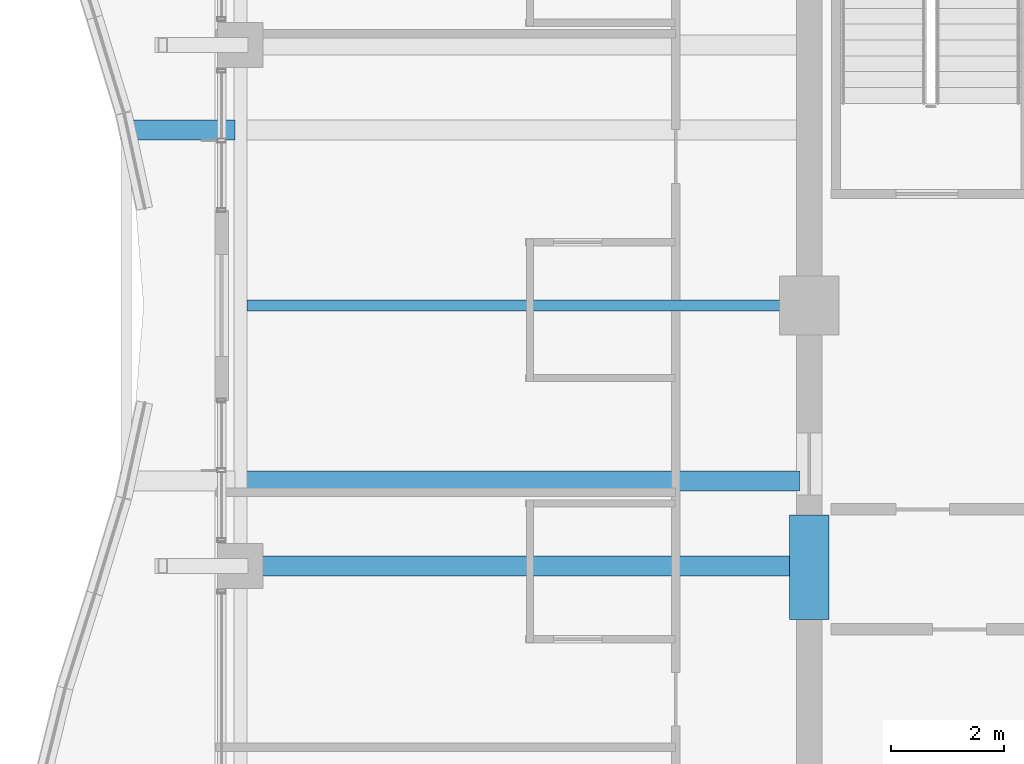
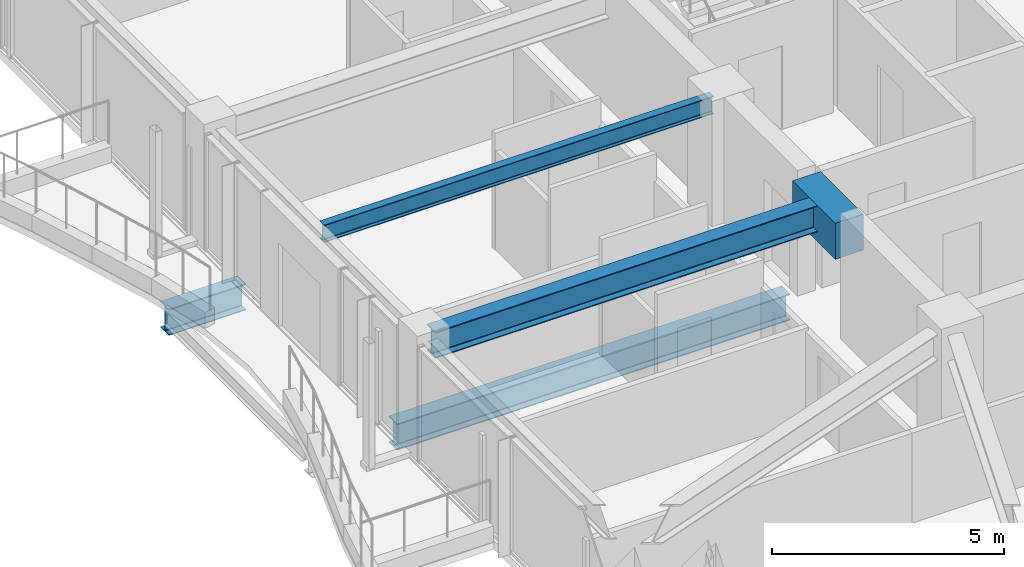
# One storey, part 7 of 35: 5 beams.
"""IFC4 building model written with IfcOpenShell, lengths in metres."""

from ifc_helpers import new_model, si_unit, direction, frame, origin, origin_2d, place, context, subcontext, project, spatial, rectangle, i_section, extrude, material, material_profile, profile_set, type_object, element, save


model = new_model("IFC4")

# Units and contexts
model_context = context("Model", 3, precision=1e-05, world=origin(), true_north=direction((0.0, 1.0)))
body_context = subcontext(model_context, "Body", "Model", "MODEL_VIEW")
ifc_project = project(units=[si_unit("LENGTHUNIT", "METRE"), si_unit("AREAUNIT", "SQUARE_METRE"), si_unit("VOLUMEUNIT", "CUBIC_METRE"), si_unit("PLANEANGLEUNIT", "RADIAN"), si_unit("MASSUNIT", "GRAM", prefix="KILO")], contexts=[model_context])

# Site, building, storey
site_placement = place(None, origin())
site = spatial("IfcSite", under=ifc_project, at=site_placement, CompositionType="ELEMENT")
building_placement = place(site_placement, origin())
building = spatial("IfcBuilding", under=site, at=building_placement, Name="Kolvaren Belvedere", CompositionType="ELEMENT")
storey_placement = place(building_placement, frame((0.0, 0.0, 216.300048828125)))
storey = spatial("IfcBuildingStorey", under=building, at=storey_placement, Name="L63", CompositionType="ELEMENT", Elevation=216.300048828125)

# Beams
ifc_material_1 = material(Name="Structural steel ASTM A992 Grade 50", Category="steel")
ifc_material_profile_1 = material_profile(ifc_material_1, i_section(OverallWidth=0.35498046875, OverallDepth=0.696044921875, WebThickness=0.015380859375, FlangeThickness=0.02490234375, FilletRadius=0.02197265625, at=origin_2d()), Name="W27X146")
ifc_profile_set_1 = profile_set([ifc_material_profile_1], Name="Structural steel ASTM A992 Grade 50")
beam_type_1 = type_object("IfcBeamType", Name="BM-CANT-BAL", PredefinedType="BEAM", material=ifc_profile_set_1)
beam_1_placement = place(storey_placement, frame((-20.044921875, 3.10009765625, -0.568115234375), z_axis=(-1.0, 0.0, 0.0), x_axis=(0.0, -1.0, 0.0)))
element("IfcBeam", 1, at=beam_1_placement, inside=storey, type_object=beam_type_1, Name="L63 Planted Balcony Cantilever BAL-W-2", PredefinedType="BEAM", context=body_context, shape_type="SweptSolid", body=[
    extrude(i_section(OverallWidth=0.35498046875, OverallDepth=0.696044921875, WebThickness=0.015380859375, FlangeThickness=0.02490234375, FilletRadius=0.02197265625, at=origin_2d()), origin(), (0.0, 0.0, 1.0), 1.91943359375),
])
ifc_material_2 = material(Name="Structural steel ASTM A992 Grade 50", Category="steel")
ifc_material_profile_2 = material_profile(ifc_material_2, i_section(OverallWidth=0.35498046875, OverallDepth=0.696044921875, WebThickness=0.015380859375, FlangeThickness=0.02490234375, FilletRadius=0.02197265625, at=origin_2d()), Name="W27X146")
ifc_profile_set_2 = profile_set([ifc_material_profile_2], Name="Structural steel ASTM A992 Grade 50")
beam_type_2 = type_object("IfcBeamType", Name="BM-GIRD-W27X146", PredefinedType="BEAM", material=ifc_profile_set_2)
beam_2_placement = place(storey_placement, frame((-10.06494140625, -3.10009765625, -0.568115234375), z_axis=(-1.0, 0.0, 0.0), x_axis=(0.0, -1.0, 0.0)))
element("IfcBeam", 2, at=beam_2_placement, inside=storey, type_object=beam_type_2, Name="L63 Balcony Interior Back-Span Girder BAL-W-1", PredefinedType="BEAM", context=body_context, shape_type="SweptSolid", body=[
    extrude(i_section(OverallWidth=0.35498046875, OverallDepth=0.696044921875, WebThickness=0.015380859375, FlangeThickness=0.02490234375, FilletRadius=0.02197265625, at=origin_2d()), origin(), (0.0, 0.0, 1.0), 9.7900390625),
])
beam_3_placement = place(storey_placement, frame((-10.125, -4.60009765625, 2.73193359375), z_axis=(-1.0, 0.0, 0.0), x_axis=(0.0, -1.0, 0.0)))
element("IfcBeam", 3, at=beam_3_placement, inside=storey, type_object=beam_type_2, Name="L63 West Radial Girder M", PredefinedType="BEAM", context=body_context, shape_type="SweptSolid", body=[
    extrude(i_section(OverallWidth=0.35498046875, OverallDepth=0.696044921875, WebThickness=0.015380859375, FlangeThickness=0.02490234375, FilletRadius=0.02197265625, at=origin_2d()), origin(), (0.0, 0.0, 1.0), 9.64501953125),
])
ifc_material_3 = material(Name="Structural steel ASTM A992 Grade 50", Category="steel")
ifc_material_profile_3 = material_profile(ifc_material_3, i_section(OverallWidth=0.19091796875, OverallDepth=0.4599609375, WebThickness=0.010009765625, FlangeThickness=0.01611328125, FilletRadius=0.014892578125, at=origin_2d()), Name="W18X55")
ifc_profile_set_3 = profile_set([ifc_material_profile_3], Name="Structural steel ASTM A992 Grade 50")
beam_type_3 = type_object("IfcBeamType", Name="BM-JOIST-W18X55", PredefinedType="BEAM", material=ifc_profile_set_3)
beam_4_placement = place(storey_placement, frame((-10.125, 0.0, 2.849853515625), z_axis=(-1.0, 0.0, 0.0), x_axis=(0.0, -1.0, 0.0)))
element("IfcBeam", 4, at=beam_4_placement, inside=storey, type_object=beam_type_3, Name="L63 West Centre Floor Beam", PredefinedType="BEAM", context=body_context, shape_type="SweptSolid", body=[
    extrude(i_section(OverallWidth=0.19091796875, OverallDepth=0.4599609375, WebThickness=0.010009765625, FlangeThickness=0.01611328125, FilletRadius=0.014892578125, at=origin_2d()), origin(), (0.0, 0.0, 1.0), 9.71044921875),
])
ifc_material_4 = material(Name="Concrete C60/75", Category="concrete")
ifc_material_profile_4 = material_profile(ifc_material_4, rectangle(XDim=0.699951171875, YDim=0.949951171875, at=origin_2d()), Name="RC 700X950")
ifc_profile_set_4 = profile_set([ifc_material_profile_4], Name="Concrete C60/75")
beam_type_4 = type_object("IfcBeamType", Name="BM-LINT-950", PredefinedType="LINTEL", material=ifc_profile_set_4)
beam_5_placement = place(storey_placement, frame((-9.89990234375, -5.550048828125, 2.60498046875), z_axis=(0.0, 1.0, 0.0), x_axis=(-1.0, 0.0, 0.0)))
element("IfcBeam", 5, at=beam_5_placement, inside=storey, type_object=beam_type_4, Name="L63 West Core Coupling Lintel", PredefinedType="LINTEL", context=body_context, shape_type="SweptSolid", body=[
    extrude(rectangle(XDim=0.699951171875, YDim=0.949951171875, at=origin_2d()), origin(), (0.0, 0.0, 1.0), 1.85009765625),
])

save(model, "model.ifc")
